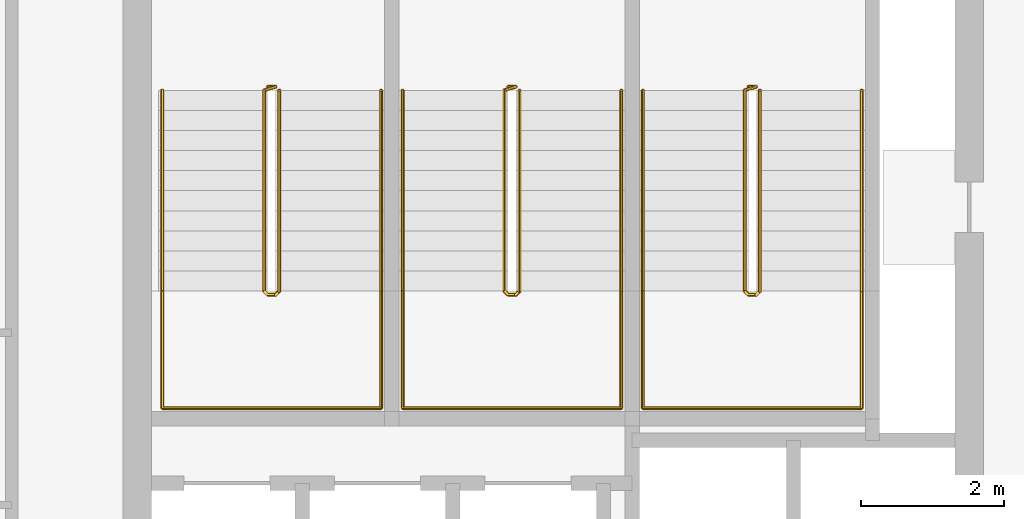
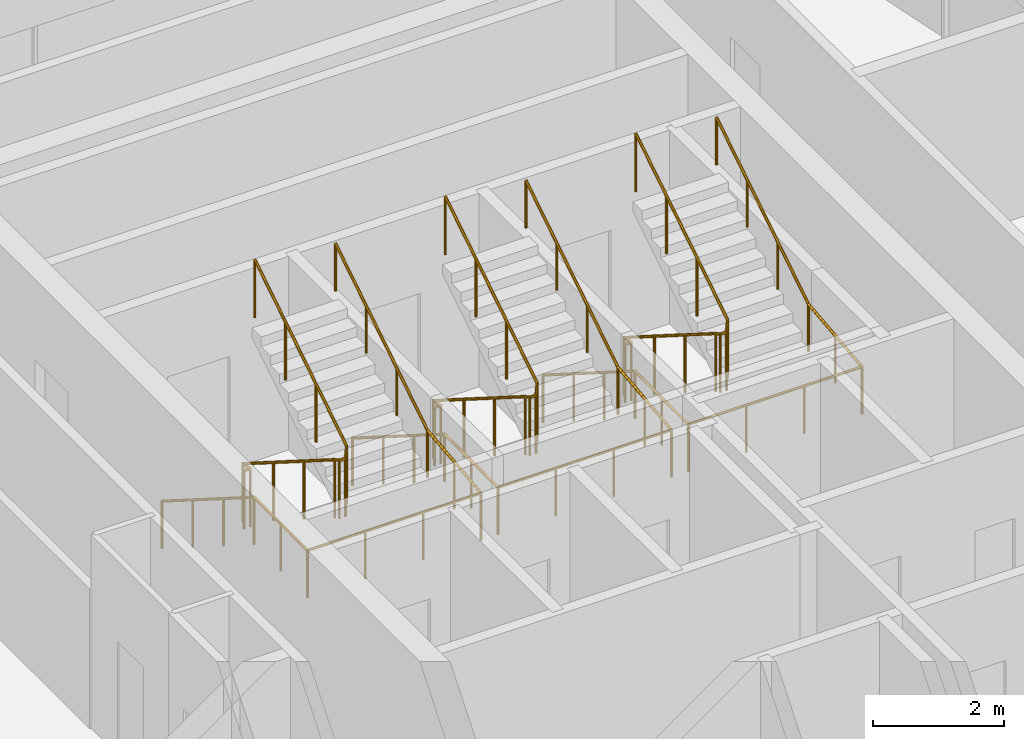
# One storey, part 9 of 9: 6 railings.
"""IFC4 building model written with IfcOpenShell, lengths in metres."""

from ifc_helpers import new_model, si_unit, direction, frame, origin, origin_2d, place, context, subcontext, project, spatial, circle, extrude, material, type_object, element, save


model = new_model("IFC4")

# Units and contexts
model_context = context("Model", 3, precision=1e-05, world=origin(), true_north=direction((0.0, 1.0)))
body_context = subcontext(model_context, "Body", "Model", "MODEL_VIEW")
ifc_project = project(units=[si_unit("LENGTHUNIT", "METRE"), si_unit("AREAUNIT", "SQUARE_METRE"), si_unit("VOLUMEUNIT", "CUBIC_METRE"), si_unit("PLANEANGLEUNIT", "RADIAN"), si_unit("MASSUNIT", "GRAM", prefix="KILO")], contexts=[model_context])

# Site, building, storey
site_placement = place(None, origin())
site = spatial("IfcSite", under=ifc_project, at=site_placement, CompositionType="ELEMENT")
building_placement = place(site_placement, origin())
building = spatial("IfcBuilding", under=site, at=building_placement, Name="Tessera Arch", CompositionType="ELEMENT")
storey_placement = place(building_placement, frame((0.0, 0.0, 273.5)))
storey = spatial("IfcBuildingStorey", under=building, at=storey_placement, Name="L66", CompositionType="ELEMENT", Elevation=273.5)

# Railings
ifc_material_1 = material(Name="Painted steel balustrade", Category="steel")
railing_type_1 = type_object("IfcRailingType", Name="Stair guard 1100", PredefinedType="GUARDRAIL", material=ifc_material_1)
railing_1_placement = place(storey_placement, frame((38.219970703125, 43.6298828125, 0.0)))
element("IfcRailing", 1, at=railing_1_placement, inside=storey, type_object=railing_type_1, Name="L66 S1a stair guard 1", PredefinedType="GUARDRAIL", context=body_context, shape_type="SweptSolid", body=[
    extrude(circle(Radius=0.02392578125, at=origin_2d()), frame((-0.00390625, 0.0, 1.076171875), z_axis=(1.0, 0.0, 0.0), x_axis=(0.0, 1.0, 0.0)), (0.0, 0.0, 1.0), 0.1181640625),
    extrude(circle(Radius=0.02392578125, at=origin_2d()), frame((0.11279296875, 0.000732421875, 1.0732421875), z_axis=(-0.656319048605, -0.204099216335, 0.726353093426), x_axis=(0.296948579431, -0.954893471113, 0.0)), (0.0, 0.0, 1.0), 0.251953125),
    extrude(circle(Radius=0.02392578125, at=origin_2d()), frame((-0.050048828125, -0.04638671875, 1.251220703125), z_axis=(0.0, -0.844908973607, 0.534910110503), x_axis=(1.0, 0.0, 0.0)), (0.0, 0.0, 1.0), 3.322021484375),
    extrude(circle(Radius=0.02392578125, at=origin_2d()), frame((-0.052978515625, -2.846923828125, 3.02587890625), z_axis=(0.707106781187, -0.707106781187, 0.0), x_axis=(0.707106781187, 0.707106781187, 0.0)), (0.0, 0.0, 1.0), 0.078857421875),
    extrude(circle(Radius=0.02392578125, at=origin_2d()), frame((-0.00390625, -2.89990234375, 3.02587890625), z_axis=(1.0, 0.0, 0.0), x_axis=(0.0, 1.0, 0.0)), (0.0, 0.0, 1.0), 0.1181640625),
    extrude(circle(Radius=0.02392578125, at=origin_2d()), frame((0.109130859375, -2.90087890625, 3.022216796875), z_axis=(0.261041864531, 0.262321481514, 0.929001929653), x_axis=(-0.708833529934, 0.705375805398, 0.0)), (0.0, 0.0, 1.0), 0.19873046875),
    extrude(circle(Radius=0.02392578125, at=origin_2d()), frame((0.159912109375, -2.853271484375, 3.201171875), z_axis=(0.0, 0.844908973607, 0.534910110503), x_axis=(-1.0, 0.0, 0.0)), (0.0, 0.0, 1.0), 3.322021484375),
    extrude(circle(Radius=0.02099609375, at=origin_2d()), origin(), (0.0, 0.0, 1.0), 1.06396484375),
    extrude(circle(Radius=0.02099609375, at=origin_2d()), frame((0.110107421875, 0.0, 0.0)), (0.0, 0.0, 1.0), 1.06396484375),
    extrude(circle(Radius=0.02099609375, at=origin_2d()), frame((-0.050048828125, -0.0498046875, 0.17724609375)), (0.0, 0.0, 1.0), 1.06396484375),
    extrude(circle(Radius=0.02099609375, at=origin_2d()), frame((-0.050048828125, -0.983154296875, 0.76806640625)), (0.0, 0.0, 1.0), 1.06396484375),
    extrude(circle(Radius=0.02099609375, at=origin_2d()), frame((-0.050048828125, -1.91650390625, 1.359130859375)), (0.0, 0.0, 1.0), 1.06396484375),
    extrude(circle(Radius=0.02099609375, at=origin_2d()), frame((-0.050048828125, -2.849853515625, 1.949951171875)), (0.0, 0.0, 1.0), 1.06396484375),
    extrude(circle(Radius=0.02099609375, at=origin_2d()), frame((0.0, -2.89990234375, 1.949951171875)), (0.0, 0.0, 1.0), 1.06396484375),
    extrude(circle(Radius=0.02099609375, at=origin_2d()), frame((0.110107421875, -2.89990234375, 1.949951171875)), (0.0, 0.0, 1.0), 1.06396484375),
    extrude(circle(Radius=0.02099609375, at=origin_2d()), frame((0.159912109375, -2.849853515625, 2.127197265625)), (0.0, 0.0, 1.0), 1.06396484375),
    extrude(circle(Radius=0.02099609375, at=origin_2d()), frame((0.159912109375, -1.91650390625, 2.718017578125)), (0.0, 0.0, 1.0), 1.06396484375),
    extrude(circle(Radius=0.02099609375, at=origin_2d()), frame((0.159912109375, -0.983154296875, 3.30908203125)), (0.0, 0.0, 1.0), 1.06396484375),
    extrude(circle(Radius=0.02099609375, at=origin_2d()), frame((0.159912109375, -0.0498046875, 3.89990234375)), (0.0, 0.0, 1.0), 1.06396484375),
])
railing_2_placement = place(storey_placement, frame((41.570068359375, 43.6298828125, 0.0)))
element("IfcRailing", 2, at=railing_2_placement, inside=storey, type_object=railing_type_1, Name="L66 S1b stair guard 1", PredefinedType="GUARDRAIL", context=body_context, shape_type="SweptSolid", body=[
    extrude(circle(Radius=0.02392578125, at=origin_2d()), frame((-0.00390625, 0.0, 1.076171875), z_axis=(1.0, 0.0, 0.0), x_axis=(0.0, 1.0, 0.0)), (0.0, 0.0, 1.0), 0.117919921875),
    extrude(circle(Radius=0.02392578125, at=origin_2d()), frame((0.112548828125, 0.000732421875, 1.0732421875), z_axis=(-0.65574896516, -0.204233265485, 0.726830150696), x_axis=(0.297361876254, -0.954764847777, 0.0)), (0.0, 0.0, 1.0), 0.251953125),
    extrude(circle(Radius=0.02392578125, at=origin_2d()), frame((-0.050048828125, -0.04638671875, 1.251220703125), z_axis=(0.0, -0.844908973607, 0.534910110503), x_axis=(1.0, 0.0, 0.0)), (0.0, 0.0, 1.0), 3.322021484375),
    extrude(circle(Radius=0.02392578125, at=origin_2d()), frame((-0.052978515625, -2.846923828125, 3.02587890625), z_axis=(0.707106781187, -0.707106781187, 0.0), x_axis=(0.707106781187, 0.707106781187, 0.0)), (0.0, 0.0, 1.0), 0.078857421875),
    extrude(circle(Radius=0.02392578125, at=origin_2d()), frame((-0.00390625, -2.89990234375, 3.02587890625), z_axis=(1.0, 0.0, 0.0), x_axis=(0.0, 1.0, 0.0)), (0.0, 0.0, 1.0), 0.117919921875),
    extrude(circle(Radius=0.02392578125, at=origin_2d()), frame((0.10888671875, -2.90087890625, 3.022216796875), z_axis=(0.262233686654, 0.262233686654, 0.928691007369), x_axis=(-0.707106781187, 0.707106781187, 0.0)), (0.0, 0.0, 1.0), 0.198974609375),
    extrude(circle(Radius=0.02392578125, at=origin_2d()), frame((0.159912109375, -2.853271484375, 3.201171875), z_axis=(0.0, 0.844908973607, 0.534910110503), x_axis=(-1.0, 0.0, 0.0)), (0.0, 0.0, 1.0), 3.322021484375),
    extrude(circle(Radius=0.02099609375, at=origin_2d()), origin(), (0.0, 0.0, 1.0), 1.06396484375),
    extrude(circle(Radius=0.02099609375, at=origin_2d()), frame((0.10986328125, 0.0, 0.0)), (0.0, 0.0, 1.0), 1.06396484375),
    extrude(circle(Radius=0.02099609375, at=origin_2d()), frame((-0.050048828125, -0.0498046875, 0.17724609375)), (0.0, 0.0, 1.0), 1.06396484375),
    extrude(circle(Radius=0.02099609375, at=origin_2d()), frame((-0.050048828125, -0.983154296875, 0.76806640625)), (0.0, 0.0, 1.0), 1.06396484375),
    extrude(circle(Radius=0.02099609375, at=origin_2d()), frame((-0.050048828125, -1.91650390625, 1.359130859375)), (0.0, 0.0, 1.0), 1.06396484375),
    extrude(circle(Radius=0.02099609375, at=origin_2d()), frame((-0.050048828125, -2.849853515625, 1.949951171875)), (0.0, 0.0, 1.0), 1.06396484375),
    extrude(circle(Radius=0.02099609375, at=origin_2d()), frame((0.0, -2.89990234375, 1.949951171875)), (0.0, 0.0, 1.0), 1.06396484375),
    extrude(circle(Radius=0.02099609375, at=origin_2d()), frame((0.10986328125, -2.89990234375, 1.949951171875)), (0.0, 0.0, 1.0), 1.06396484375),
    extrude(circle(Radius=0.02099609375, at=origin_2d()), frame((0.159912109375, -2.849853515625, 2.127197265625)), (0.0, 0.0, 1.0), 1.06396484375),
    extrude(circle(Radius=0.02099609375, at=origin_2d()), frame((0.159912109375, -1.91650390625, 2.718017578125)), (0.0, 0.0, 1.0), 1.06396484375),
    extrude(circle(Radius=0.02099609375, at=origin_2d()), frame((0.159912109375, -0.983154296875, 3.30908203125)), (0.0, 0.0, 1.0), 1.06396484375),
    extrude(circle(Radius=0.02099609375, at=origin_2d()), frame((0.159912109375, -0.0498046875, 3.89990234375)), (0.0, 0.0, 1.0), 1.06396484375),
])
railing_3_placement = place(storey_placement, frame((44.919921875, 43.6298828125, 0.0)))
element("IfcRailing", 3, at=railing_3_placement, inside=storey, type_object=railing_type_1, Name="L66 S1c stair guard 1", PredefinedType="GUARDRAIL", context=body_context, shape_type="SweptSolid", body=[
    extrude(circle(Radius=0.02392578125, at=origin_2d()), frame((-0.00390625, 0.0, 1.076171875), z_axis=(1.0, 0.0, 0.0), x_axis=(0.0, 1.0, 0.0)), (0.0, 0.0, 1.0), 0.1181640625),
    extrude(circle(Radius=0.02392578125, at=origin_2d()), frame((0.11279296875, 0.000732421875, 1.0732421875), z_axis=(-0.65574896516, -0.204233265485, 0.726830150696), x_axis=(0.297361876254, -0.954764847777, 0.0)), (0.0, 0.0, 1.0), 0.251953125),
    extrude(circle(Radius=0.02392578125, at=origin_2d()), frame((-0.0498046875, -0.04638671875, 1.251220703125), z_axis=(0.0, -0.844908973607, 0.534910110503), x_axis=(1.0, 0.0, 0.0)), (0.0, 0.0, 1.0), 3.322021484375),
    extrude(circle(Radius=0.02392578125, at=origin_2d()), frame((-0.052734375, -2.846923828125, 3.02587890625), z_axis=(0.705375805398, -0.708833529934, 0.0), x_axis=(0.708833529934, 0.705375805398, 0.0)), (0.0, 0.0, 1.0), 0.07861328125),
    extrude(circle(Radius=0.02392578125, at=origin_2d()), frame((-0.00390625, -2.89990234375, 3.02587890625), z_axis=(1.0, 0.0, 0.0), x_axis=(0.0, 1.0, 0.0)), (0.0, 0.0, 1.0), 0.1181640625),
    extrude(circle(Radius=0.02392578125, at=origin_2d()), frame((0.109130859375, -2.90087890625, 3.022216796875), z_axis=(0.262233686654, 0.262233686654, 0.928691007369), x_axis=(-0.707106781187, 0.707106781187, 0.0)), (0.0, 0.0, 1.0), 0.198974609375),
    extrude(circle(Radius=0.02392578125, at=origin_2d()), frame((0.16015625, -2.853271484375, 3.201171875), z_axis=(0.0, 0.844908973607, 0.534910110503), x_axis=(-1.0, 0.0, 0.0)), (0.0, 0.0, 1.0), 3.322021484375),
    extrude(circle(Radius=0.02099609375, at=origin_2d()), origin(), (0.0, 0.0, 1.0), 1.06396484375),
    extrude(circle(Radius=0.02099609375, at=origin_2d()), frame((0.110107421875, 0.0, 0.0)), (0.0, 0.0, 1.0), 1.06396484375),
    extrude(circle(Radius=0.02099609375, at=origin_2d()), frame((-0.0498046875, -0.0498046875, 0.17724609375)), (0.0, 0.0, 1.0), 1.06396484375),
    extrude(circle(Radius=0.02099609375, at=origin_2d()), frame((-0.0498046875, -0.983154296875, 0.76806640625)), (0.0, 0.0, 1.0), 1.06396484375),
    extrude(circle(Radius=0.02099609375, at=origin_2d()), frame((-0.0498046875, -1.91650390625, 1.359130859375)), (0.0, 0.0, 1.0), 1.06396484375),
    extrude(circle(Radius=0.02099609375, at=origin_2d()), frame((-0.0498046875, -2.849853515625, 1.949951171875)), (0.0, 0.0, 1.0), 1.06396484375),
    extrude(circle(Radius=0.02099609375, at=origin_2d()), frame((0.0, -2.89990234375, 1.949951171875)), (0.0, 0.0, 1.0), 1.06396484375),
    extrude(circle(Radius=0.02099609375, at=origin_2d()), frame((0.110107421875, -2.89990234375, 1.949951171875)), (0.0, 0.0, 1.0), 1.06396484375),
    extrude(circle(Radius=0.02099609375, at=origin_2d()), frame((0.16015625, -2.849853515625, 2.127197265625)), (0.0, 0.0, 1.0), 1.06396484375),
    extrude(circle(Radius=0.02099609375, at=origin_2d()), frame((0.16015625, -1.91650390625, 2.718017578125)), (0.0, 0.0, 1.0), 1.06396484375),
    extrude(circle(Radius=0.02099609375, at=origin_2d()), frame((0.16015625, -0.983154296875, 3.30908203125)), (0.0, 0.0, 1.0), 1.06396484375),
    extrude(circle(Radius=0.02099609375, at=origin_2d()), frame((0.16015625, -0.0498046875, 3.89990234375)), (0.0, 0.0, 1.0), 1.06396484375),
])
ifc_material_2 = material(Name="Painted steel handrail", Category="steel")
railing_type_2 = type_object("IfcRailingType", Name="Stair handrail 900", PredefinedType="HANDRAIL", material=ifc_material_2)
railing_4_placement = place(storey_placement, frame((36.75, 43.580078125, 0.17724609375)))
element("IfcRailing", 4, at=railing_4_placement, inside=storey, type_object=railing_type_2, Name="L66 S1a stair handrail", PredefinedType="HANDRAIL", context=body_context, shape_type="SweptSolid", body=[
    extrude(circle(Radius=0.02392578125, at=origin_2d()), frame((0.0, 0.00341796875, 0.873779296875), z_axis=(0.0, -0.844908973607, 0.534910110503), x_axis=(1.0, 0.0, 0.0)), (0.0, 0.0, 1.0), 3.322021484375),
    extrude(circle(Radius=0.02392578125, at=origin_2d()), frame((0.0, -2.796142578125, 2.6484375), z_axis=(0.0, -1.0, 0.0), x_axis=(1.0, 0.0, 0.0)), (0.0, 0.0, 1.0), 1.63818359375),
    extrude(circle(Radius=0.02392578125, at=origin_2d()), frame((-0.00390625, -4.43017578125, 2.6484375), z_axis=(1.0, 0.0, 0.0), x_axis=(0.0, 1.0, 0.0)), (0.0, 0.0, 1.0), 3.05810546875),
    extrude(circle(Radius=0.02392578125, at=origin_2d()), frame((3.050048828125, -4.43408203125, 2.648193359375), z_axis=(0.0, 0.994140637614, 0.108094369164), x_axis=(-1.0, 0.0, 0.0)), (0.0, 0.0, 1.0), 1.647705078125),
    extrude(circle(Radius=0.02392578125, at=origin_2d()), frame((3.050048828125, -2.803466796875, 2.82373046875), z_axis=(0.0, 0.844908973607, 0.534910110503), x_axis=(-1.0, 0.0, 0.0)), (0.0, 0.0, 1.0), 3.322021484375),
    extrude(circle(Radius=0.02099609375, at=origin_2d()), origin(), (0.0, 0.0, 1.0), 0.86376953125),
    extrude(circle(Radius=0.02099609375, at=origin_2d()), frame((0.0, -0.933349609375, 0.5908203125)), (0.0, 0.0, 1.0), 0.86376953125),
    extrude(circle(Radius=0.02099609375, at=origin_2d()), frame((0.0, -1.86669921875, 1.181884765625)), (0.0, 0.0, 1.0), 0.86376953125),
    extrude(circle(Radius=0.02099609375, at=origin_2d()), frame((0.0, -2.800048828125, 1.772705078125)), (0.0, 0.0, 1.0), 0.86376953125),
    extrude(circle(Radius=0.02099609375, at=origin_2d()), frame((0.0, -3.615234375, 1.772705078125)), (0.0, 0.0, 1.0), 0.86376953125),
    extrude(circle(Radius=0.02099609375, at=origin_2d()), frame((0.0, -4.43017578125, 1.772705078125)), (0.0, 0.0, 1.0), 0.86376953125),
    extrude(circle(Radius=0.02099609375, at=origin_2d()), frame((1.0166015625, -4.43017578125, 1.772705078125)), (0.0, 0.0, 1.0), 0.86376953125),
    extrude(circle(Radius=0.02099609375, at=origin_2d()), frame((2.033447265625, -4.43017578125, 1.772705078125)), (0.0, 0.0, 1.0), 0.86376953125),
    extrude(circle(Radius=0.02099609375, at=origin_2d()), frame((3.050048828125, -4.43017578125, 1.772705078125)), (0.0, 0.0, 1.0), 0.86376953125),
    extrude(circle(Radius=0.02099609375, at=origin_2d()), frame((3.050048828125, -3.615234375, 1.861328125)), (0.0, 0.0, 1.0), 0.86376953125),
    extrude(circle(Radius=0.02099609375, at=origin_2d()), frame((3.050048828125, -2.800048828125, 1.949951171875)), (0.0, 0.0, 1.0), 0.86376953125),
    extrude(circle(Radius=0.02099609375, at=origin_2d()), frame((3.050048828125, -1.86669921875, 2.540771484375)), (0.0, 0.0, 1.0), 0.86376953125),
    extrude(circle(Radius=0.02099609375, at=origin_2d()), frame((3.050048828125, -0.933349609375, 3.1318359375)), (0.0, 0.0, 1.0), 0.86376953125),
    extrude(circle(Radius=0.02099609375, at=origin_2d()), frame((3.050048828125, 0.0, 3.72265625)), (0.0, 0.0, 1.0), 0.86376953125),
])
railing_5_placement = place(storey_placement, frame((40.10009765625, 43.580078125, 0.17724609375)))
element("IfcRailing", 5, at=railing_5_placement, inside=storey, type_object=railing_type_2, Name="L66 S1b stair handrail", PredefinedType="HANDRAIL", context=body_context, shape_type="SweptSolid", body=[
    extrude(circle(Radius=0.02392578125, at=origin_2d()), frame((0.0, 0.00341796875, 0.873779296875), z_axis=(0.0, -0.844908973607, 0.534910110503), x_axis=(1.0, 0.0, 0.0)), (0.0, 0.0, 1.0), 3.322021484375),
    extrude(circle(Radius=0.02392578125, at=origin_2d()), frame((0.0, -2.796142578125, 2.6484375), z_axis=(0.0, -1.0, 0.0), x_axis=(1.0, 0.0, 0.0)), (0.0, 0.0, 1.0), 1.63818359375),
    extrude(circle(Radius=0.02392578125, at=origin_2d()), frame((-0.00390625, -4.43017578125, 2.6484375), z_axis=(1.0, 0.0, 0.0), x_axis=(0.0, 1.0, 0.0)), (0.0, 0.0, 1.0), 3.057861328125),
    extrude(circle(Radius=0.02392578125, at=origin_2d()), frame((3.0498046875, -4.43408203125, 2.648193359375), z_axis=(0.0, 0.994140637614, 0.108094369164), x_axis=(-1.0, 0.0, 0.0)), (0.0, 0.0, 1.0), 1.647705078125),
    extrude(circle(Radius=0.02392578125, at=origin_2d()), frame((3.0498046875, -2.803466796875, 2.82373046875), z_axis=(0.0, 0.844908973607, 0.534910110503), x_axis=(-1.0, 0.0, 0.0)), (0.0, 0.0, 1.0), 3.322021484375),
    extrude(circle(Radius=0.02099609375, at=origin_2d()), origin(), (0.0, 0.0, 1.0), 0.86376953125),
    extrude(circle(Radius=0.02099609375, at=origin_2d()), frame((0.0, -0.933349609375, 0.5908203125)), (0.0, 0.0, 1.0), 0.86376953125),
    extrude(circle(Radius=0.02099609375, at=origin_2d()), frame((0.0, -1.86669921875, 1.181884765625)), (0.0, 0.0, 1.0), 0.86376953125),
    extrude(circle(Radius=0.02099609375, at=origin_2d()), frame((0.0, -2.800048828125, 1.772705078125)), (0.0, 0.0, 1.0), 0.86376953125),
    extrude(circle(Radius=0.02099609375, at=origin_2d()), frame((0.0, -3.615234375, 1.772705078125)), (0.0, 0.0, 1.0), 0.86376953125),
    extrude(circle(Radius=0.02099609375, at=origin_2d()), frame((0.0, -4.43017578125, 1.772705078125)), (0.0, 0.0, 1.0), 0.86376953125),
    extrude(circle(Radius=0.02099609375, at=origin_2d()), frame((1.0166015625, -4.43017578125, 1.772705078125)), (0.0, 0.0, 1.0), 0.86376953125),
    extrude(circle(Radius=0.02099609375, at=origin_2d()), frame((2.033203125, -4.43017578125, 1.772705078125)), (0.0, 0.0, 1.0), 0.86376953125),
    extrude(circle(Radius=0.02099609375, at=origin_2d()), frame((3.0498046875, -4.43017578125, 1.772705078125)), (0.0, 0.0, 1.0), 0.86376953125),
    extrude(circle(Radius=0.02099609375, at=origin_2d()), frame((3.0498046875, -3.615234375, 1.861328125)), (0.0, 0.0, 1.0), 0.86376953125),
    extrude(circle(Radius=0.02099609375, at=origin_2d()), frame((3.0498046875, -2.800048828125, 1.949951171875)), (0.0, 0.0, 1.0), 0.86376953125),
    extrude(circle(Radius=0.02099609375, at=origin_2d()), frame((3.0498046875, -1.86669921875, 2.540771484375)), (0.0, 0.0, 1.0), 0.86376953125),
    extrude(circle(Radius=0.02099609375, at=origin_2d()), frame((3.0498046875, -0.933349609375, 3.1318359375)), (0.0, 0.0, 1.0), 0.86376953125),
    extrude(circle(Radius=0.02099609375, at=origin_2d()), frame((3.0498046875, 0.0, 3.72265625)), (0.0, 0.0, 1.0), 0.86376953125),
])
railing_6_placement = place(storey_placement, frame((43.449951171875, 43.580078125, 0.17724609375)))
element("IfcRailing", 6, at=railing_6_placement, inside=storey, type_object=railing_type_2, Name="L66 S1c stair handrail", PredefinedType="HANDRAIL", context=body_context, shape_type="SweptSolid", body=[
    extrude(circle(Radius=0.02392578125, at=origin_2d()), frame((0.0, 0.00341796875, 0.873779296875), z_axis=(0.0, -0.844908973607, 0.534910110503), x_axis=(1.0, 0.0, 0.0)), (0.0, 0.0, 1.0), 3.322021484375),
    extrude(circle(Radius=0.02392578125, at=origin_2d()), frame((0.0, -2.796142578125, 2.6484375), z_axis=(0.0, -1.0, 0.0), x_axis=(1.0, 0.0, 0.0)), (0.0, 0.0, 1.0), 1.63818359375),
    extrude(circle(Radius=0.02392578125, at=origin_2d()), frame((-0.00390625, -4.43017578125, 2.6484375), z_axis=(1.0, 0.0, 0.0), x_axis=(0.0, 1.0, 0.0)), (0.0, 0.0, 1.0), 3.05810546875),
    extrude(circle(Radius=0.02392578125, at=origin_2d()), frame((3.050048828125, -4.43408203125, 2.648193359375), z_axis=(0.0, 0.994140637614, 0.108094369164), x_axis=(-1.0, 0.0, 0.0)), (0.0, 0.0, 1.0), 1.647705078125),
    extrude(circle(Radius=0.02392578125, at=origin_2d()), frame((3.050048828125, -2.803466796875, 2.82373046875), z_axis=(0.0, 0.844908973607, 0.534910110503), x_axis=(-1.0, 0.0, 0.0)), (0.0, 0.0, 1.0), 3.322021484375),
    extrude(circle(Radius=0.02099609375, at=origin_2d()), origin(), (0.0, 0.0, 1.0), 0.86376953125),
    extrude(circle(Radius=0.02099609375, at=origin_2d()), frame((0.0, -0.933349609375, 0.5908203125)), (0.0, 0.0, 1.0), 0.86376953125),
    extrude(circle(Radius=0.02099609375, at=origin_2d()), frame((0.0, -1.86669921875, 1.181884765625)), (0.0, 0.0, 1.0), 0.86376953125),
    extrude(circle(Radius=0.02099609375, at=origin_2d()), frame((0.0, -2.800048828125, 1.772705078125)), (0.0, 0.0, 1.0), 0.86376953125),
    extrude(circle(Radius=0.02099609375, at=origin_2d()), frame((0.0, -3.615234375, 1.772705078125)), (0.0, 0.0, 1.0), 0.86376953125),
    extrude(circle(Radius=0.02099609375, at=origin_2d()), frame((0.0, -4.43017578125, 1.772705078125)), (0.0, 0.0, 1.0), 0.86376953125),
    extrude(circle(Radius=0.02099609375, at=origin_2d()), frame((1.0166015625, -4.43017578125, 1.772705078125)), (0.0, 0.0, 1.0), 0.86376953125),
    extrude(circle(Radius=0.02099609375, at=origin_2d()), frame((2.033447265625, -4.43017578125, 1.772705078125)), (0.0, 0.0, 1.0), 0.86376953125),
    extrude(circle(Radius=0.02099609375, at=origin_2d()), frame((3.050048828125, -4.43017578125, 1.772705078125)), (0.0, 0.0, 1.0), 0.86376953125),
    extrude(circle(Radius=0.02099609375, at=origin_2d()), frame((3.050048828125, -3.615234375, 1.861328125)), (0.0, 0.0, 1.0), 0.86376953125),
    extrude(circle(Radius=0.02099609375, at=origin_2d()), frame((3.050048828125, -2.800048828125, 1.949951171875)), (0.0, 0.0, 1.0), 0.86376953125),
    extrude(circle(Radius=0.02099609375, at=origin_2d()), frame((3.050048828125, -1.86669921875, 2.540771484375)), (0.0, 0.0, 1.0), 0.86376953125),
    extrude(circle(Radius=0.02099609375, at=origin_2d()), frame((3.050048828125, -0.933349609375, 3.1318359375)), (0.0, 0.0, 1.0), 0.86376953125),
    extrude(circle(Radius=0.02099609375, at=origin_2d()), frame((3.050048828125, 0.0, 3.72265625)), (0.0, 0.0, 1.0), 0.86376953125),
])

save(model, "model.ifc")
